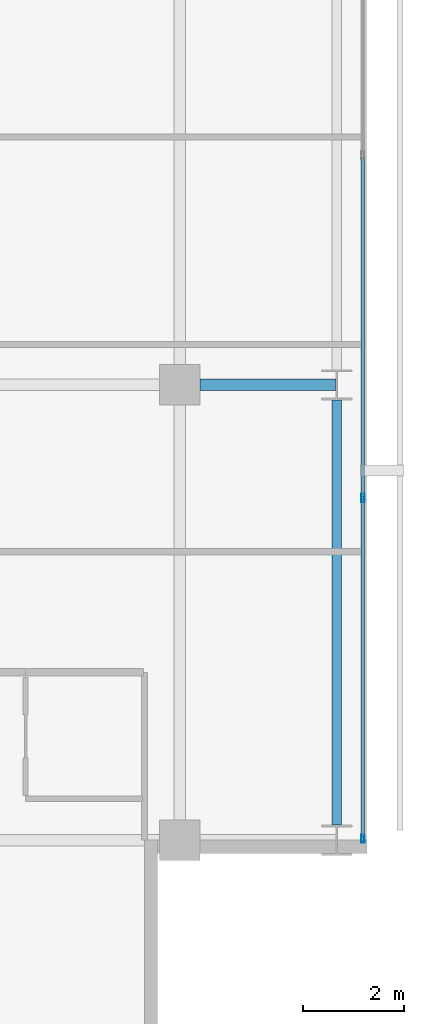
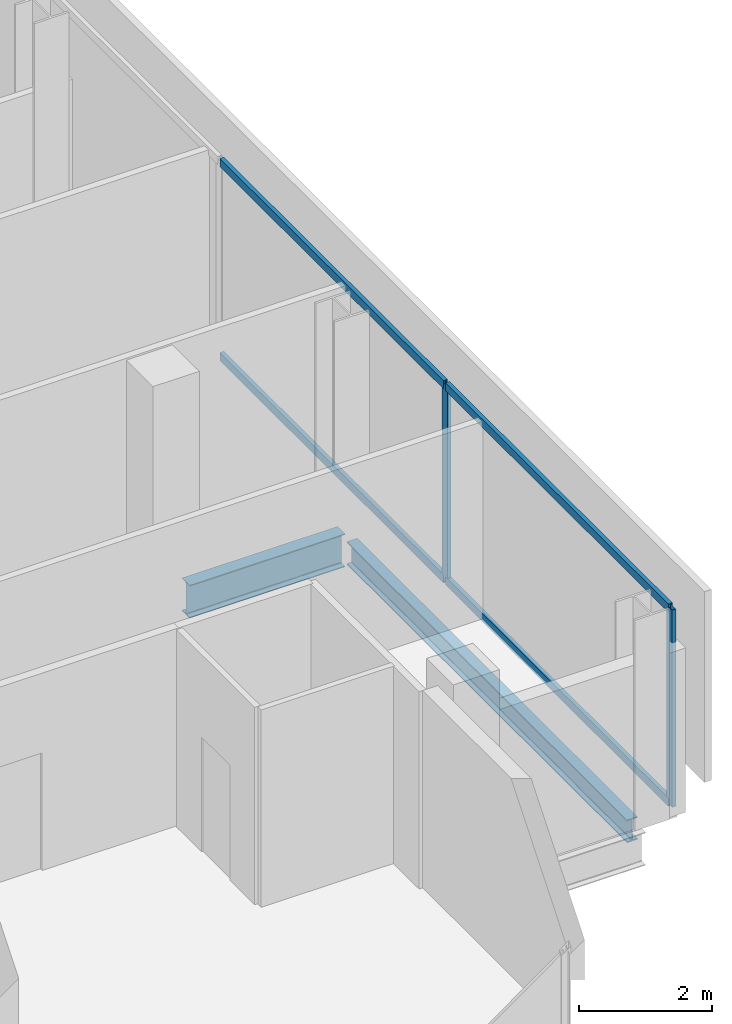
# One storey, part 15 of 34: 6 members, 2 beams, 1 element without a shape of its own.
"""IFC4 building model written with IfcOpenShell, lengths in metres."""

from ifc_helpers import new_model, si_unit, direction, frame, origin, origin_2d, place, context, subcontext, project, spatial, hollow_rectangle, i_section, extrude, material, layer, layer_set, material_profile, profile_set, type_object, element, aggregate, save


model = new_model("IFC4")

# Units and contexts
model_context = context("Model", 3, precision=1e-05, world=origin(), true_north=direction((0.0, 1.0)))
body_context = subcontext(model_context, "Body", "Model", "MODEL_VIEW")
ifc_project = project(units=[si_unit("LENGTHUNIT", "METRE"), si_unit("AREAUNIT", "SQUARE_METRE"), si_unit("VOLUMEUNIT", "CUBIC_METRE"), si_unit("PLANEANGLEUNIT", "RADIAN"), si_unit("MASSUNIT", "GRAM", prefix="KILO")], contexts=[model_context])

# Site, building, storey
site_placement = place(None, origin())
site = spatial("IfcSite", under=ifc_project, at=site_placement, CompositionType="ELEMENT")
building_placement = place(site_placement, origin())
building = spatial("IfcBuilding", under=site, at=building_placement, Name="Maruvema Waterfront Hotel and Observation Tower", CompositionType="ELEMENT")
storey_placement = place(building_placement, frame((0.0, 0.0, 177.449951171875)))
storey = spatial("IfcBuildingStorey", under=building, at=storey_placement, Name="L43", CompositionType="ELEMENT", Elevation=177.449951171875)

# Curtain wall, members
ifc_material_1 = material(Name="Anodised bronze aluminium and solar-control low-E IGU", Category="aluminium")
ifc_layer = layer(ifc_material_1, 0.159912109375, Name="Zone 2 Amber Inner Thermal Curtain Wall System CW-03")
ifc_layer_set = layer_set([ifc_layer], Name="Anodised bronze aluminium and solar-control low-E IGU")
curtain_wall_type = type_object("IfcCurtainWallType", Name="Zone 2 Amber Inner Thermal Curtain Wall System CW-03", PredefinedType="USERDEFINED", material=ifc_layer_set)
curtain_wall_placement = place(storey_placement, origin())
curtain_wall = element("IfcCurtainWall", 1, at=curtain_wall_placement, inside=storey, type_object=curtain_wall_type, Name="L43 Curtain Wall CW-L43-E", ObjectType="UNITISED CURTAIN WALL", PredefinedType="USERDEFINED")
ifc_material_2 = material(Name="Anodised architectural bronze aluminium", Category="aluminium")
ifc_material_profile_1 = material_profile(ifc_material_2, hollow_rectangle(XDim=0.070068359375, YDim=0.14990234375, WallThickness=0.00390625, at=origin_2d()), Name="ALU-T70x150")
ifc_profile_set_1 = profile_set([ifc_material_profile_1], Name="Anodised architectural bronze aluminium")
member_type_1 = type_object("IfcMemberType", Name="Curtain Wall Horizontal Transom ALU-T70x150", PredefinedType="USERDEFINED", material=ifc_profile_set_1)
member_1_placement = place(storey_placement, frame((62.419921875, 9.06005859375, 0.030029296875), z_axis=(0.0, 1.0, 0.0), x_axis=(-1.0, 0.0, 0.0)))
member_1 = element("IfcMember", 2, at=member_1_placement, type_object=member_type_1, Name="CW-03 transom 1.1", ObjectType="TRANSOM", PredefinedType="USERDEFINED", context=body_context, shape_type="SweptSolid", body=[
    extrude(hollow_rectangle(XDim=0.070068359375, YDim=0.14990234375, WallThickness=0.00390625, at=origin_2d()), origin(), (0.0, 0.0, 1.0), 6.676513671875),
])
member_2_placement = place(storey_placement, frame((62.419921875, 9.06005859375, 3.580078125), z_axis=(0.0, 1.0, 0.0), x_axis=(-1.0, 0.0, 0.0)))
member_2 = element("IfcMember", 3, at=member_2_placement, type_object=member_type_1, Name="CW-03 transom 1.2", ObjectType="TRANSOM", PredefinedType="USERDEFINED", context=body_context, shape_type="SweptSolid", body=[
    extrude(hollow_rectangle(XDim=0.070068359375, YDim=0.14990234375, WallThickness=0.00390625, at=origin_2d()), origin(), (0.0, 0.0, 1.0), 6.676513671875),
])
member_3_placement = place(storey_placement, frame((62.419921875, 15.796630859375, 0.030029296875), z_axis=(0.0, 1.0, 0.0), x_axis=(-1.0, 0.0, 0.0)))
member_3 = element("IfcMember", 4, at=member_3_placement, type_object=member_type_1, Name="CW-03 transom 2.1", ObjectType="TRANSOM", PredefinedType="USERDEFINED", context=body_context, shape_type="SweptSolid", body=[
    extrude(hollow_rectangle(XDim=0.070068359375, YDim=0.14990234375, WallThickness=0.00390625, at=origin_2d()), origin(), (0.0, 0.0, 1.0), 6.706787109375),
])
member_4_placement = place(storey_placement, frame((62.419921875, 15.796630859375, 3.580078125), z_axis=(0.0, 1.0, 0.0), x_axis=(-1.0, 0.0, 0.0)))
member_4 = element("IfcMember", 5, at=member_4_placement, type_object=member_type_1, Name="CW-03 transom 2.2", ObjectType="TRANSOM", PredefinedType="USERDEFINED", context=body_context, shape_type="SweptSolid", body=[
    extrude(hollow_rectangle(XDim=0.070068359375, YDim=0.14990234375, WallThickness=0.00390625, at=origin_2d()), origin(), (0.0, 0.0, 1.0), 6.706787109375),
])
ifc_material_3 = material(Name="Anodised architectural bronze aluminium", Category="aluminium")
ifc_material_profile_2 = material_profile(ifc_material_3, hollow_rectangle(XDim=0.06494140625, YDim=0.1650390625, WallThickness=0.00390625, at=origin_2d()), Name="ALU-M65x165")
ifc_profile_set_2 = profile_set([ifc_material_profile_2], Name="Anodised architectural bronze aluminium")
member_type_2 = type_object("IfcMemberType", Name="Curtain Wall Primary Mullion ALU-M65x165", PredefinedType="MULLION", material=ifc_profile_set_2)
member_5_placement = place(storey_placement, frame((62.419921875, 9.030029296875, 0.0), z_axis=(0.0, 0.0, 1.0), x_axis=(-1.0, 0.0, 0.0)))
member_5 = element("IfcMember", 6, at=member_5_placement, type_object=member_type_2, Name="CW-03 mullion 1", PredefinedType="MULLION", context=body_context, shape_type="SweptSolid", body=[
    extrude(hollow_rectangle(XDim=0.06494140625, YDim=0.1650390625, WallThickness=0.00390625, at=origin_2d()), origin(), (0.0, 0.0, 1.0), 3.610107421875),
])
member_6_placement = place(storey_placement, frame((62.419921875, 15.7666015625, 0.0), z_axis=(0.0, 0.0, 1.0), x_axis=(-1.0, 0.0, 0.0)))
member_6 = element("IfcMember", 7, at=member_6_placement, type_object=member_type_2, Name="CW-03 mullion 2", PredefinedType="MULLION", context=body_context, shape_type="SweptSolid", body=[
    extrude(hollow_rectangle(XDim=0.06494140625, YDim=0.1650390625, WallThickness=0.00390625, at=origin_2d()), origin(), (0.0, 0.0, 1.0), 3.610107421875),
])
aggregate(curtain_wall, [member_5, member_6, member_1, member_2, member_3, member_4])

# Beams
ifc_material_4 = material(Name="Steel ASTM A572 Grade 50", Category="steel")
ifc_material_profile_3 = material_profile(ifc_material_4, i_section(OverallWidth=0.180908203125, OverallDepth=0.4169921875, WebThickness=0.010986328125, FlangeThickness=0.018310546875, FilletRadius=0.014892578125, at=origin_2d()), Name="W410x85.0")
ifc_profile_set_3 = profile_set([ifc_material_profile_3], Name="Steel ASTM A572 Grade 50")
beam_type_1 = type_object("IfcBeamType", Name="Perimeter Spandrel Beam W410x85.0", PredefinedType="SPANDREL", material=ifc_profile_set_3)
beam_1_placement = place(storey_placement, frame((61.89990234375, 9.300048828125, -0.448486328125), z_axis=(0.0, 1.0, 0.0), x_axis=(-1.0, 0.0, 0.0)))
element("IfcBeam", 8, at=beam_1_placement, inside=storey, type_object=beam_type_1, Name="L43 Floor Girder NS-29", PredefinedType="SPANDREL", context=body_context, shape_type="SweptSolid", body=[
    extrude(i_section(OverallWidth=0.180908203125, OverallDepth=0.4169921875, WebThickness=0.010986328125, FlangeThickness=0.018310546875, FilletRadius=0.014892578125, at=origin_2d()), origin(), (0.0, 0.0, 1.0), 8.39990234375),
])
ifc_material_5 = material(Name="Steel ASTM A572 Grade 50", Category="steel")
ifc_material_profile_4 = material_profile(ifc_material_5, i_section(OverallWidth=0.22802734375, OverallDepth=0.60302734375, WebThickness=0.010498046875, FlangeThickness=0.014892578125, FilletRadius=0.01806640625, at=origin_2d()), Name="W610x101.0")
ifc_profile_set_4 = profile_set([ifc_material_profile_4], Name="Steel ASTM A572 Grade 50")
beam_type_2 = type_object("IfcBeamType", Name="Primary Floor Girder W610x101.0", PredefinedType="BEAM", material=ifc_profile_set_4)
beam_2_placement = place(storey_placement, frame((59.199951171875, 18.0, -0.54150390625), z_axis=(1.0, 0.0, 0.0), x_axis=(0.0, 1.0, 0.0)))
element("IfcBeam", 9, at=beam_2_placement, inside=storey, type_object=beam_type_2, Name="L43 Floor Girder EW-17", PredefinedType="BEAM", context=body_context, shape_type="SweptSolid", body=[
    extrude(i_section(OverallWidth=0.22802734375, OverallDepth=0.60302734375, WebThickness=0.010498046875, FlangeThickness=0.014892578125, FilletRadius=0.01806640625, at=origin_2d()), origin(), (0.0, 0.0, 1.0), 2.6875),
])

save(model, "model.ifc")
